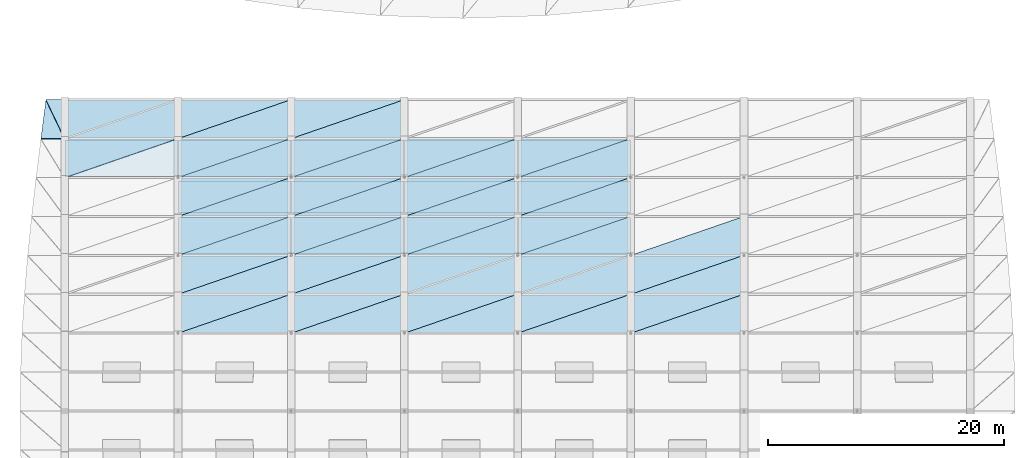
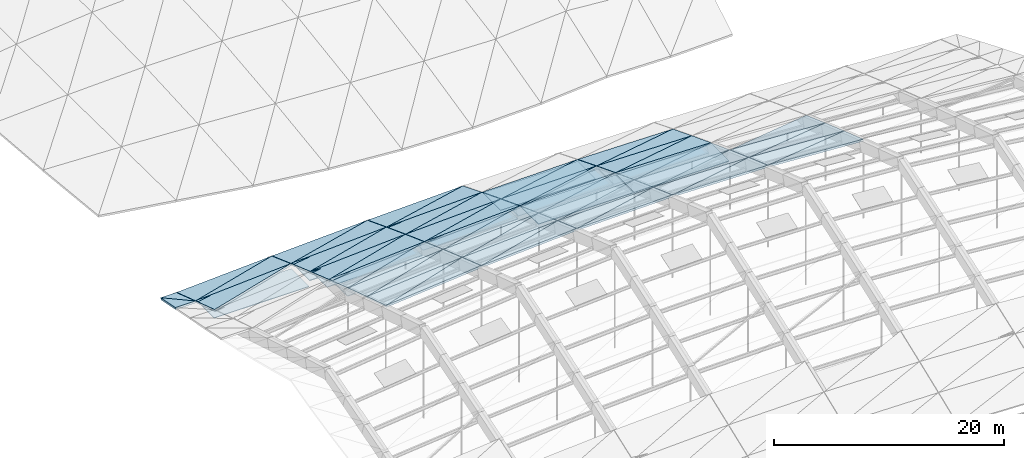
# One storey, part 39 of 43: 54 slabs, 13 plates.
"""IFC4 building model written with IfcOpenShell, lengths in metres."""

from ifc_helpers import new_model, si_unit, direction, frame, origin, origin_2d, place, context, subcontext, project, spatial, polyline, rectangle, outline, extrude, material, layer, layer_set, type_object, element, save


model = new_model("IFC4")

# Units and contexts
model_context = context("Model", 3, precision=1e-05, world=origin(), true_north=direction((0.0, 1.0)))
body_context = subcontext(model_context, "Body", "Model", "MODEL_VIEW")
ifc_project = project(units=[si_unit("LENGTHUNIT", "METRE"), si_unit("AREAUNIT", "SQUARE_METRE"), si_unit("VOLUMEUNIT", "CUBIC_METRE"), si_unit("PLANEANGLEUNIT", "RADIAN"), si_unit("MASSUNIT", "GRAM", prefix="KILO")], contexts=[model_context])

# Site, building, storey
site_placement = place(None, origin())
site = spatial("IfcSite", under=ifc_project, at=site_placement, CompositionType="ELEMENT")
building_placement = place(site_placement, origin())
building = spatial("IfcBuilding", under=site, at=building_placement, Name="Chalmorin Arch Market", CompositionType="ELEMENT")
storey_placement = place(building_placement, frame((0.0, 0.0, 18.60009765625)))
storey = spatial("IfcBuildingStorey", under=building, at=storey_placement, Name="RF", CompositionType="ELEMENT", Elevation=18.60009765625)

# Plates
ifc_material_1 = material(Name="Precast concrete C40/50", Category="concrete")
ifc_layer_1 = layer(ifc_material_1, 0.06005859375)
ifc_layer_set_1 = layer_set([ifc_layer_1], Name="Precast concrete C40/50")
plate_type_1 = type_object("IfcPlateType", Name="VaultRoofCassette-9600x2700x60", PredefinedType="SHEET", material=ifc_layer_set_1)
for number, where, z_axis, x_axis, name in (
    (1, (62.39990234375, 50.550048828125, 0.376220703125), (0.0, 0.0, 1.0), (1.0, 0.0, 0.0), "VRC-02-057"),
    (2, (72.0, 50.550048828125, 0.909912109375), (0.0, 0.0, 1.0), (1.0, 0.0, 0.0), "VRC-02-063"),
    (3, (81.60009765625, 50.550048828125, 1.198486328125), (0.0, 0.0, 1.0), (1.0, 0.0, 0.0), "VRC-02-069"),
    (4, (91.199951171875, 50.550048828125, 1.198486328125), (0.0, 0.0, 1.0), (1.0, 0.0, 0.0), "VRC-02-075"),
):
    element("IfcPlate", number, at=place(storey_placement, frame(where, z_axis=z_axis, x_axis=x_axis)), inside=storey, type_object=plate_type_1, Name=name, PredefinedType="SHEET", context=body_context, shape_type="SweptSolid", body=[
        extrude(rectangle(XDim=9.550048828125, YDim=2.699951171875, at=origin_2d()), origin(), (0.0, 0.0, 1.0), 0.06005859375),
    ])
ifc_layer_2 = layer(ifc_material_1, 0.06005859375)
ifc_layer_set_2 = layer_set([ifc_layer_2], Name="Precast concrete C40/50")
plate_type_2 = type_object("IfcPlateType", Name="VaultRoofCassette-9600x3100x60", PredefinedType="SHEET", material=ifc_layer_set_2)
for number, where, z_axis, x_axis, name in (
    (5, (52.800048828125, 53.85009765625, -1.4287109375), (0.0, 0.0, 1.0), (1.0, 0.0, 0.0), "VRC-01-052"),
    (6, (62.39990234375, 47.25, 1.53857421875), (0.0, 0.0, 1.0), (1.0, 0.0, 0.0), "VRC-01-056"),
    (7, (62.39990234375, 53.85009765625, -0.814453125), (0.0, 0.0, 1.0), (1.0, 0.0, 0.0), "VRC-01-058"),
    (8, (72.0, 47.25, 2.13427734375), (0.0, 0.0, 1.0), (1.0, 0.0, 0.0), "VRC-01-062"),
    (9, (72.0, 53.85009765625, -0.34423828125), (0.0, 0.0, 1.0), (1.0, 0.0, 0.0), "VRC-01-064"),
    (10, (81.60009765625, 47.25, 2.456298828125), (0.0, 0.0, 1.0), (1.0, 0.0, 0.0), "VRC-01-068"),
    (11, (81.60009765625, 53.85009765625, -0.08984375), (0.0, 0.0, 1.0), (1.0, 0.0, 0.0), "VRC-01-070"),
    (12, (91.199951171875, 47.25, 2.456298828125), (0.0, 0.0, 1.0), (1.0, 0.0, 0.0), "VRC-01-074"),
    (13, (91.199951171875, 53.85009765625, -0.08984375), (0.0, 0.0, 1.0), (1.0, 0.0, 0.0), "VRC-01-076"),
):
    element("IfcPlate", number, at=place(storey_placement, frame(where, z_axis=z_axis, x_axis=x_axis)), inside=storey, type_object=plate_type_2, Name=name, PredefinedType="SHEET", context=body_context, shape_type="SweptSolid", body=[
        extrude(rectangle(XDim=9.550048828125, YDim=3.10009765625, at=origin_2d()), origin(), (0.0, 0.0, 1.0), 0.06005859375),
    ])

# Slabs
ifc_material_2 = material(Name="Concrete C40/50", Category="concrete")
ifc_layer_3 = layer(ifc_material_2, 0.18994140625)
ifc_layer_set_3 = layer_set([ifc_layer_3], Name="Concrete C40/50")
slab_type = type_object("IfcSlabType", Name="VaultSlopedRoofSlab-190", PredefinedType="ROOF", material=ifc_layer_set_3)
slab_1_placement = place(storey_placement, frame((48.02001953125, 52.199951171875, -0.423095703125), z_axis=(-0.060322137858, 0.309410513803, 0.949013368521), x_axis=(0.944255422222, 0.325948734414, -0.046250623112)))
element("IfcSlab", 14, at=slab_1_placement, inside=storey, type_object=slab_type, Name="RS-190-381", PredefinedType="ROOF", context=body_context, shape_type="SweptSolid", body=[
    extrude(outline(polyline([(0.0, 0.0), (10.124441299211979, -7.216449660063518e-16), (1.1254090671694907, 3.283503797643487), (0.0, 0.0)])), origin(), (0.0, 0.0, -1.0), 0.18994140625),
])
slab_2_placement = place(storey_placement, frame((48.02001953125, 55.5, -1.4990234375), z_axis=(-0.059675258205, 0.339153515206, 0.938836384404), x_axis=(0.997985973277, 0.0, 0.063434983592)))
element("IfcSlab", 15, at=slab_2_placement, inside=storey, type_object=slab_type, Name="RS-190-382", PredefinedType="ROOF", context=body_context, shape_type="SweptSolid", body=[
    extrude(outline(polyline([(0.0, 0.0), (9.579351663994741, 2.7755575615628914e-17), (9.503728366905273, 3.5079620861586283), (0.0, 0.0)])), origin(), (0.0, 0.0, -1.0), 0.18994140625),
])
slab_3_placement = place(storey_placement, frame((48.02001953125, 55.5, -1.4990234375), z_axis=(-0.051192320591, 0.316086453496, 0.947348246543), x_axis=(0.943692440065, 0.325754397884, -0.057694460941)))
element("IfcSlab", 16, at=slab_3_placement, inside=storey, type_object=slab_type, Name="RS-190-383", PredefinedType="ROOF", context=body_context, shape_type="SweptSolid", body=[
    extrude(outline(polyline([(0.0, 0.0), (10.13048127533171, -1.6653345369377348e-16), (1.138531302501493, 3.2873139759428773), (0.0, 0.0)])), origin(), (0.0, 0.0, -1.0), 0.18994140625),
])
slab_4_placement = place(storey_placement, frame((57.6201171875, 39.0, 4.658203125), z_axis=(-0.086273749207, 0.321091494642, 0.943110328788), x_axis=(0.995841975491, 0.0, 0.091097529336)))
element("IfcSlab", 17, at=slab_4_placement, inside=storey, type_object=slab_type, Name="RS-190-398", PredefinedType="ROOF", context=body_context, shape_type="SweptSolid", body=[
    extrude(outline(polyline([(0.0, 0.0), (9.599730367276402, -5.551115123125783e-17), (9.497379090419967, 3.4845627747918044), (0.0, 0.0)])), origin(), (0.0, 0.0, -1.0), 0.18994140625),
])
slab_5_placement = place(storey_placement, frame((57.6201171875, 39.0, 4.658203125), z_axis=(-0.080063340026, 0.303578139229, 0.949436767229), x_axis=(0.944977985989, 0.326206487642, -0.024615714833)))
element("IfcSlab", 18, at=slab_5_placement, inside=storey, type_object=slab_type, Name="RS-190-399", PredefinedType="ROOF", context=body_context, shape_type="SweptSolid", body=[
    extrude(outline(polyline([(0.0, 0.0), (10.116441435535085, -9.43689570931383e-16), (1.1024712434005106, 3.2845510126683477), (0.0, 0.0)])), origin(), (0.0, 0.0, -1.0), 0.18994140625),
])
slab_6_placement = place(storey_placement, frame((57.6201171875, 42.300048828125, 3.60302734375), z_axis=(-0.079360091137, 0.328691283062, 0.941097240658), x_axis=(0.996463313136, 0.0, 0.084028956763)))
element("IfcSlab", 19, at=slab_6_placement, inside=storey, type_object=slab_type, Name="RS-190-400", PredefinedType="ROOF", context=body_context, shape_type="SweptSolid", body=[
    extrude(outline(polyline([(0.0, 0.0), (9.593744523360588, 0.0), (9.49689376533355, 3.494195335738139), (0.0, 0.0)])), origin(), (0.0, 0.0, -1.0), 0.18994140625),
])
slab_7_placement = place(storey_placement, frame((57.6201171875, 42.300048828125, 3.60302734375), z_axis=(-0.072966970432, 0.310859242536, 0.947650965575), x_axis=(0.944710305701, 0.326114084382, -0.034235102888)))
element("IfcSlab", 20, at=slab_7_placement, inside=storey, type_object=slab_type, Name="RS-190-401", PredefinedType="ROOF", context=body_context, shape_type="SweptSolid", body=[
    extrude(outline(polyline([(0.0, 0.0), (10.119307893049081, -5.828670879282072e-16), (1.1132525695318332, 3.289808432109334), (0.0, 0.0)])), origin(), (0.0, 0.0, -1.0), 0.18994140625),
])
slab_8_placement = place(storey_placement, frame((57.6201171875, 45.60009765625, 2.5205078125), z_axis=(-0.072300405683, 0.336248230313, 0.938994024981), x_axis=(0.99704879106, 0.0, 0.076770490718)))
element("IfcSlab", 21, at=slab_8_placement, inside=storey, type_object=slab_type, Name="RS-190-402", PredefinedType="ROOF", context=body_context, shape_type="SweptSolid", body=[
    extrude(outline(polyline([(0.0, 0.0), (9.588110971939729, 2.7755575615628914e-17), (9.497395841306087, 3.503820244728814), (0.0, 0.0)])), origin(), (0.0, 0.0, -1.0), 0.18994140625),
])
slab_9_placement = place(storey_placement, frame((57.6201171875, 45.60009765625, 2.5205078125), z_axis=(-0.065721430381, 0.318103995891, 0.94577510085), x_axis=(0.944355816679, 0.325967597575, -0.044013825509)))
element("IfcSlab", 22, at=slab_9_placement, inside=storey, type_object=slab_type, Name="RS-190-403", PredefinedType="ROOF", context=body_context, shape_type="SweptSolid", body=[
    extrude(outline(polyline([(0.0, 0.0), (10.123106443865423, 2.7755575615628914e-17), (1.1244787352494912, 3.294852811991105), (0.0, 0.0)])), origin(), (0.0, 0.0, -1.0), 0.18994140625),
])
slab_10_placement = place(storey_placement, frame((57.6201171875, 48.89990234375, 1.41064453125), z_axis=(-0.065097786639, 0.343754549434, 0.936800452561), x_axis=(0.997594314234, 0.0, 0.069322321144)))
element("IfcSlab", 23, at=slab_10_placement, inside=storey, type_object=slab_type, Name="RS-190-404", PredefinedType="ROOF", context=body_context, shape_type="SweptSolid", body=[
    extrude(outline(polyline([(0.0, 0.0), (9.582867821845197, 0.0), (9.498922823585069, 3.5142061883421896), (0.0, 0.0)])), origin(), (0.0, 0.0, -1.0), 0.18994140625),
])
slab_11_placement = place(storey_placement, frame((57.6201171875, 48.89990234375, 1.41064453125), z_axis=(-0.058306931914, 0.325246702933, 0.943829902007), x_axis=(0.943886667557, 0.325829764419, -0.053971505699)))
element("IfcSlab", 24, at=slab_11_placement, inside=storey, type_object=slab_type, Name="RS-190-405", PredefinedType="ROOF", context=body_context, shape_type="SweptSolid", body=[
    extrude(outline(polyline([(0.0, 0.0), (10.12813802940145, -5.551115123125783e-16), (1.1366309080079744, 3.3002473057173445), (0.0, 0.0)])), origin(), (0.0, 0.0, -1.0), 0.18994140625),
])
slab_12_placement = place(storey_placement, frame((57.6201171875, 52.199951171875, 0.2734375), z_axis=(-0.057731449157, 0.35121204381, 0.934514408696), x_axis=(0.998097248777, 0.0, 0.061659403039)))
element("IfcSlab", 25, at=slab_12_placement, inside=storey, type_object=slab_type, Name="RS-190-406", PredefinedType="ROOF", context=body_context, shape_type="SweptSolid", body=[
    extrude(outline(polyline([(0.0, 0.0), (9.578039078692683, 0.0), (9.501566967501917, 3.524578781805119), (0.0, 0.0)])), origin(), (0.0, 0.0, -1.0), 0.18994140625),
])
slab_13_placement = place(storey_placement, frame((57.6201171875, 52.199951171875, 0.2734375), z_axis=(-0.050747817537, 0.332409500897, 0.941768858441), x_axis=(0.943320130757, 0.325634195864, -0.064105392853)))
element("IfcSlab", 26, at=slab_13_placement, inside=storey, type_object=slab_type, Name="RS-190-407", PredefinedType="ROOF", context=body_context, shape_type="SweptSolid", body=[
    extrude(outline(polyline([(0.0, 0.0), (10.134220760723265, 3.0531133177191805e-16), (1.1492783825179262, 3.3054846358003167), (0.0, 0.0)])), origin(), (0.0, 0.0, -1.0), 0.18994140625),
])
slab_14_placement = place(storey_placement, frame((57.6201171875, 55.5, -0.891357421875), z_axis=(-0.050230245838, 0.358535169614, 0.932163856064), x_axis=(0.998551322998, 0.0, 0.053807576973)))
element("IfcSlab", 27, at=slab_14_placement, inside=storey, type_object=slab_type, Name="RS-190-408", PredefinedType="ROOF", context=body_context, shape_type="SweptSolid", body=[
    extrude(outline(polyline([(0.0, 0.0), (9.573683628425485, 0.0), (9.505386364587173, 3.53507390556222), (0.0, 0.0)])), origin(), (0.0, 0.0, -1.0), 0.18994140625),
])
slab_15_placement = place(storey_placement, frame((57.6201171875, 55.5, -0.891357421875), z_axis=(-0.043050162493, 0.339444032363, 0.939640586822), x_axis=(0.942647192545, 0.325401897531, -0.074363132461)))
element("IfcSlab", 28, at=slab_15_placement, inside=storey, type_object=slab_type, Name="RS-190-409", PredefinedType="ROOF", context=body_context, shape_type="SweptSolid", body=[
    extrude(outline(polyline([(0.0, 0.0), (10.141455391504055, 4.440892098500626e-16), (1.1624933165864304, 3.3106081268976792), (0.0, 0.0)])), origin(), (0.0, 0.0, -1.0), 0.18994140625),
])
slab_16_placement = place(storey_placement, frame((67.219970703125, 39.0, 5.53271484375), z_axis=(-0.057508950983, 0.333339728313, 0.941051192064), x_axis=(0.998137912706, 0.0, 0.06099760011)))
element("IfcSlab", 29, at=slab_16_placement, inside=storey, type_object=slab_type, Name="RS-190-424", PredefinedType="ROOF", context=body_context, shape_type="SweptSolid", body=[
    extrude(outline(polyline([(0.0, 0.0), (9.577893467480342, 0.0), (9.506590608758074, 3.5002387509944155), (0.0, 0.0)])), origin(), (0.0, 0.0, -1.0), 0.18994140625),
])
slab_17_placement = place(storey_placement, frame((67.219970703125, 39.0, 5.53271484375), z_axis=(-0.053278179424, 0.321835424659, 0.945295400937), x_axis=(0.943691127671, 0.325753944857, -0.057718480279)))
element("IfcSlab", 30, at=slab_17_placement, inside=storey, type_object=slab_type, Name="RS-190-425", PredefinedType="ROOF", context=body_context, shape_type="SweptSolid", body=[
    extrude(outline(polyline([(0.0, 0.0), (10.13049536382551, 3.0531133177191805e-16), (1.1398526657424597, 3.2944482718262105), (0.0, 0.0)])), origin(), (0.0, 0.0, -1.0), 0.18994140625),
])
slab_18_placement = place(storey_placement, frame((67.219970703125, 42.300048828125, 4.4091796875), z_axis=(-0.052896780018, 0.341125240833, 0.938528369699), x_axis=(0.998415469941, 0.0, 0.056272101286)))
element("IfcSlab", 31, at=slab_18_placement, inside=storey, type_object=slab_type, Name="RS-190-426", PredefinedType="ROOF", context=body_context, shape_type="SweptSolid", body=[
    extrude(outline(polyline([(0.0, 0.0), (9.5752308348328, 0.0), (9.507734537562692, 3.5106235548475566), (0.0, 0.0)])), origin(), (0.0, 0.0, -1.0), 0.18994140625),
])
slab_19_placement = place(storey_placement, frame((67.219970703125, 42.300048828125, 4.4091796875), z_axis=(-0.048523162283, 0.329342846334, 0.942962773544), x_axis=(0.943256683128, 0.325603978391, -0.065183425725)))
element("IfcSlab", 32, at=slab_19_placement, inside=storey, type_object=slab_type, Name="RS-190-427", PredefinedType="ROOF", context=body_context, shape_type="SweptSolid", body=[
    extrude(outline(polyline([(0.0, 0.0), (10.135161260710802, 8.326672684688674e-17), (1.1496386544833725, 3.3010774116555086), (0.0, 0.0)])), origin(), (0.0, 0.0, -1.0), 0.18994140625),
])
slab_20_placement = place(storey_placement, frame((67.219970703125, 45.60009765625, 3.256591796875), z_axis=(-0.048162696985, 0.348802844218, 0.935957761058), x_axis=(0.998678650651, 0.0, 0.051390200752)))
element("IfcSlab", 33, at=slab_20_placement, inside=storey, type_object=slab_type, Name="RS-190-428", PredefinedType="ROOF", context=body_context, shape_type="SweptSolid", body=[
    extrude(outline(polyline([(0.0, 0.0), (9.572707484550355, -5.551115123125783e-17), (9.509511087775499, 3.520932920092629), (0.0, 0.0)])), origin(), (0.0, 0.0, -1.0), 0.18994140625),
])
slab_21_placement = place(storey_placement, frame((67.219970703125, 45.60009765625, 3.256591796875), z_axis=(-0.043667650091, 0.336808949914, 0.940559869223), x_axis=(0.942769113283, 0.325411597506, -0.0727577573)))
element("IfcSlab", 34, at=slab_21_placement, inside=storey, type_object=slab_type, Name="RS-190-429", PredefinedType="ROOF", context=body_context, shape_type="SweptSolid", body=[
    extrude(outline(polyline([(0.0, 0.0), (10.140402839942661, -4.718447854656915e-16), (1.15976823662637, 3.3075554688636633), (0.0, 0.0)])), origin(), (0.0, 0.0, -1.0), 0.18994140625),
])
slab_22_placement = place(storey_placement, frame((67.219970703125, 48.89990234375, 2.074951171875), z_axis=(-0.043331464428, 0.356424604404, 0.933318748106), x_axis=(0.998923992344, 0.0, 0.046377338426)))
element("IfcSlab", 35, at=slab_22_placement, inside=storey, type_object=slab_type, Name="RS-190-430", PredefinedType="ROOF", context=body_context, shape_type="SweptSolid", body=[
    extrude(outline(polyline([(0.0, 0.0), (9.570356370475023, 2.7755575615628914e-17), (9.511909148562303, 3.532017284566748), (0.0, 0.0)])), origin(), (0.0, 0.0, -1.0), 0.18994140625),
])
slab_23_placement = place(storey_placement, frame((67.219970703125, 48.89990234375, 2.074951171875), z_axis=(-0.038713676609, 0.344226995474, 0.938087963269), x_axis=(0.942202136108, 0.325239957959, -0.080461819887)))
element("IfcSlab", 36, at=slab_23_placement, inside=storey, type_object=slab_type, Name="RS-190-431", PredefinedType="ROOF", context=body_context, shape_type="SweptSolid", body=[
    extrude(outline(polyline([(0.0, 0.0), (10.146504903117206, -1.6653345369377348e-16), (1.1707419771431953, 3.314521853883344), (0.0, 0.0)])), origin(), (0.0, 0.0, -1.0), 0.18994140625),
])
slab_24_placement = place(storey_placement, frame((67.219970703125, 52.199951171875, 0.864013671875), z_axis=(-0.038405974149, 0.363935797547, 0.930631890929), x_axis=(0.999149533114, 0.0, 0.041233608599)))
element("IfcSlab", 37, at=slab_24_placement, inside=storey, type_object=slab_type, Name="RS-190-432", PredefinedType="ROOF", context=body_context, shape_type="SweptSolid", body=[
    extrude(outline(polyline([(0.0, 0.0), (9.568196027630275, 0.0), (9.514982928252026, 3.543014459331232), (0.0, 0.0)])), origin(), (0.0, 0.0, -1.0), 0.18994140625),
])
slab_25_placement = place(storey_placement, frame((67.219970703125, 52.199951171875, 0.864013671875), z_axis=(-0.033687050941, 0.351599121409, 0.935544355134), x_axis=(0.941579099337, 0.325024891101, -0.088247492072)))
element("IfcSlab", 38, at=slab_25_placement, inside=storey, type_object=slab_type, Name="RS-190-433", PredefinedType="ROOF", context=body_context, shape_type="SweptSolid", body=[
    extrude(outline(polyline([(0.0, 0.0), (10.153218779478637, -4.996003610813204e-16), (1.1820455841649788, 3.3213358472001744), (0.0, 0.0)])), origin(), (0.0, 0.0, -1.0), 0.18994140625),
])
slab_26_placement = place(storey_placement, frame((67.219970703125, 55.5, -0.376220703125), z_axis=(-0.033411164836, 0.371372685101, 0.927882547969), x_axis=(0.999352342864, 0.0, 0.035984646903)))
element("IfcSlab", 39, at=slab_26_placement, inside=storey, type_object=slab_type, Name="RS-190-434", PredefinedType="ROOF", context=body_context, shape_type="SweptSolid", body=[
    extrude(outline(polyline([(0.0, 0.0), (9.566254246580067, 0.0), (9.518725696837237, 3.554233814582145), (0.0, 0.0)])), origin(), (0.0, 0.0, -1.0), 0.18994140625),
])
slab_27_placement = place(storey_placement, frame((67.219970703125, 55.5, -0.376220703125), z_axis=(-0.028566842063, 0.35884182464, 0.932961135538), x_axis=(0.940890871282, 0.32478732078, -0.096112249991)))
element("IfcSlab", 40, at=slab_27_placement, inside=storey, type_object=slab_type, Name="RS-190-435", PredefinedType="ROOF", context=body_context, shape_type="SweptSolid", body=[
    extrude(outline(polyline([(0.0, 0.0), (10.160645496244255, 8.326672684688674e-16), (1.1938080572973289, 3.328097708356338), (0.0, 0.0)])), origin(), (0.0, 0.0, -1.0), 0.18994140625),
])
slab_28_placement = place(storey_placement, frame((76.820068359375, 39.0, 6.116943359375), z_axis=(-0.020185663097, 0.337903432718, 0.940964297496), x_axis=(0.999769983023, 0.0, 0.021447168724)))
element("IfcSlab", 41, at=slab_28_placement, inside=storey, type_object=slab_type, Name="RS-190-450", PredefinedType="ROOF", context=body_context, shape_type="SweptSolid", body=[
    extrude(outline(polyline([(0.0, 0.0), (9.56201387865188, 1.3877787807814457e-17), (9.536597727043485, 3.506285806643169), (0.0, 0.0)])), origin(), (0.0, 0.0, -1.0), 0.18994140625),
])
slab_29_placement = place(storey_placement, frame((76.820068359375, 39.0, 6.116943359375), z_axis=(-0.018628967459, 0.333834381435, 0.942447647004), x_axis=(0.94085764115, 0.324784144225, -0.096447699558)))
element("IfcSlab", 42, at=slab_29_placement, inside=storey, type_object=slab_type, Name="RS-190-451", PredefinedType="ROOF", context=body_context, shape_type="SweptSolid", body=[
    extrude(outline(polyline([(0.0, 0.0), (10.16074487256315, 3.3306690738754696e-16), (1.1845456208428435, 3.294481307241999), (0.0, 0.0)])), origin(), (0.0, 0.0, -1.0), 0.18994140625),
])
slab_30_placement = place(storey_placement, frame((76.820068359375, 42.300048828125, 4.947998046875), z_axis=(-0.018544621906, 0.345649125601, 0.938180568425), x_axis=(0.999804698373, 0.0, 0.019762720243)))
element("IfcSlab", 43, at=slab_30_placement, inside=storey, type_object=slab_type, Name="RS-190-452", PredefinedType="ROOF", context=body_context, shape_type="SweptSolid", body=[
    extrude(outline(polyline([(0.0, 0.0), (9.561681865150666, 0.0), (9.537653948449421, 3.516811618428798), (0.0, 0.0)])), origin(), (0.0, 0.0, -1.0), 0.18994140625),
])
slab_31_placement = place(storey_placement, frame((76.820068359375, 42.300048828125, 4.947998046875), z_axis=(-0.016966932484, 0.341554317339, 0.939708875934), x_axis=(0.940429290616, 0.324636277581, -0.101015031701)))
element("IfcSlab", 44, at=slab_31_placement, inside=storey, type_object=slab_type, Name="RS-190-453", PredefinedType="ROOF", context=body_context, shape_type="SweptSolid", body=[
    extrude(outline(polyline([(0.0, 0.0), (10.165372929700544, -3.3306690738754696e-16), (1.1924793493205614, 3.3025787644566), (0.0, 0.0)])), origin(), (0.0, 0.0, -1.0), 0.18994140625),
])
slab_32_placement = place(storey_placement, frame((76.820068359375, 45.60009765625, 3.74853515625), z_axis=(-0.016888044737, 0.353347477595, 0.9353396998), x_axis=(0.99983703894, 0.0, 0.018052577739)))
element("IfcSlab", 45, at=slab_32_placement, inside=storey, type_object=slab_type, Name="RS-190-454", PredefinedType="ROOF", context=body_context, shape_type="SweptSolid", body=[
    extrude(outline(polyline([(0.0, 0.0), (9.561372584533247, 0.0), (9.538868565505915, 3.527346212864562), (0.0, 0.0)])), origin(), (0.0, 0.0, -1.0), 0.18994140625),
])
slab_33_placement = place(storey_placement, frame((76.820068359375, 45.60009765625, 3.74853515625), z_axis=(-0.015265857212, 0.349167405627, 0.936936004459), x_axis=(0.939986494679, 0.324459418803, -0.105600546265)))
element("IfcSlab", 46, at=slab_33_placement, inside=storey, type_object=slab_type, Name="RS-190-455", PredefinedType="ROOF", context=body_context, shape_type="SweptSolid", body=[
    extrude(outline(polyline([(0.0, 0.0), (10.170161494067182, -1.1102230246251565e-16), (1.2005135390821176, 3.3105482408262628), (0.0, 0.0)])), origin(), (0.0, 0.0, -1.0), 0.18994140625),
])
slab_34_placement = place(storey_placement, frame((76.820068359375, 48.89990234375, 2.518798828125), z_axis=(-0.01519308192, 0.360929212064, 0.932469449441), x_axis=(0.999867289257, 0.0, 0.016291220741)))
element("IfcSlab", 47, at=slab_34_placement, inside=storey, type_object=slab_type, Name="RS-190-456", PredefinedType="ROOF", context=body_context, shape_type="SweptSolid", body=[
    extrude(outline(polyline([(0.0, 0.0), (9.561083311592133, 1.3877787807814457e-17), (9.540273822599046, 3.5385726343882067), (0.0, 0.0)])), origin(), (0.0, 0.0, -1.0), 0.18994140625),
])
slab_35_placement = place(storey_placement, frame((76.820068359375, 48.89990234375, 2.518798828125), z_axis=(-0.013549932906, 0.356726938421, 0.934110427478), x_axis=(0.939504585832, 0.324317069405, -0.110225095572)))
element("IfcSlab", 48, at=slab_35_placement, inside=storey, type_object=slab_type, Name="RS-190-457", PredefinedType="ROOF", context=body_context, shape_type="SweptSolid", body=[
    extrude(outline(polyline([(0.0, 0.0), (10.175378169827876, 2.7755575615628914e-16), (1.209173772091847, 3.3191054465190986), (0.0, 0.0)])), origin(), (0.0, 0.0, -1.0), 0.18994140625),
])
slab_36_placement = place(storey_placement, frame((76.820068359375, 52.199951171875, 1.258544921875), z_axis=(-0.013483366261, 0.368521517156, 0.929521430752), x_axis=(0.999894808821, 0.0, 0.014504181919)))
element("IfcSlab", 49, at=slab_36_placement, inside=storey, type_object=slab_type, Name="RS-190-458", PredefinedType="ROOF", context=body_context, shape_type="SweptSolid", body=[
    extrude(outline(polyline([(0.0, 0.0), (9.560820167072155, -1.3877787807814457e-17), (9.541843626323862, 3.549893077159104), (0.0, 0.0)])), origin(), (0.0, 0.0, -1.0), 0.18994140625),
])
slab_37_placement = place(storey_placement, frame((76.820068359375, 52.199951171875, 1.258544921875), z_axis=(-0.011772376827, 0.364179262705, 0.931254463484), x_axis=(0.939005009459, 0.324144615595, -0.114890645359)))
element("IfcSlab", 50, at=slab_37_placement, inside=storey, type_object=slab_type, Name="RS-190-459", PredefinedType="ROOF", context=body_context, shape_type="SweptSolid", body=[
    extrude(outline(polyline([(0.0, 0.0), (10.180791749588018, 1.1102230246251565e-16), (1.2179625782147494, 3.327514124845167), (0.0, 0.0)])), origin(), (0.0, 0.0, -1.0), 0.18994140625),
])
slab_38_placement = place(storey_placement, frame((86.419921875, 39.0, 6.322021484375), z_axis=(0.020216344222, 0.333824085231, 0.942418579797), x_axis=(0.999769994767, 0.0, -0.021446621268)))
element("IfcSlab", 51, at=slab_38_placement, inside=storey, type_object=slab_type, Name="RS-190-476", PredefinedType="ROOF", context=body_context, shape_type="SweptSolid", body=[
    extrude(outline(polyline([(0.0, 0.0), (9.562257963121825, 0.0), (9.587327890521772, 3.500875163493418), (0.0, 0.0)])), origin(), (0.0, 0.0, -1.0), 0.18994140625),
])
slab_39_placement = place(storey_placement, frame((86.419921875, 39.0, 6.322021484375), z_axis=(0.018599743968, 0.337913829102, 0.940993248449), x_axis=(0.936662221004, 0.323327627594, -0.134622171199)))
element("IfcSlab", 52, at=slab_39_placement, inside=storey, type_object=slab_type, Name="RS-190-477", PredefinedType="ROOF", context=body_context, shape_type="SweptSolid", body=[
    extrude(outline(polyline([(0.0, 0.0), (10.206516692326609, 2.7755575615628914e-16), (1.2265321194295538, 3.2848599815878847), (0.0, 0.0)])), origin(), (0.0, 0.0, -1.0), 0.18994140625),
])
slab_40_placement = place(storey_placement, frame((86.419921875, 42.300048828125, 5.136962890625), z_axis=(0.01857382641, 0.341544561268, 0.939682034329), x_axis=(0.999804708345, 0.0, -0.019762215748)))
element("IfcSlab", 53, at=slab_40_placement, inside=storey, type_object=slab_type, Name="RS-190-478", PredefinedType="ROOF", context=body_context, shape_type="SweptSolid", body=[
    extrude(outline(polyline([(0.0, 0.0), (9.561925958095822, 0.0), (9.585630002522036, 3.51119233484489), (0.0, 0.0)])), origin(), (0.0, 0.0, -1.0), 0.18994140625),
])
slab_41_placement = place(storey_placement, frame((86.419921875, 42.300048828125, 5.136962890625), z_axis=(0.016939388088, 0.345658972958, 0.938207296681), x_axis=(0.936483382846, 0.323265894222, -0.136007482462)))
element("IfcSlab", 54, at=slab_41_placement, inside=storey, type_object=slab_type, Name="RS-190-479", PredefinedType="ROOF", context=body_context, shape_type="SweptSolid", body=[
    extrude(outline(polyline([(0.0, 0.0), (10.20846580821644, -7.216449660063518e-16), (1.232153895228483, 3.293985136391793), (0.0, 0.0)])), origin(), (0.0, 0.0, -1.0), 0.18994140625),
])
slab_42_placement = place(storey_placement, frame((86.419921875, 45.60009765625, 3.921142578125), z_axis=(0.016915985555, 0.34915813222, 0.936911120724), x_axis=(0.999837047261, 0.0, -0.01805211687)))
element("IfcSlab", 55, at=slab_42_placement, inside=storey, type_object=slab_type, Name="RS-190-480", PredefinedType="ROOF", context=body_context, shape_type="SweptSolid", body=[
    extrude(outline(polyline([(0.0, 0.0), (9.56161668537385, 0.0), (9.583816029289023, 3.521430050631003), (0.0, 0.0)])), origin(), (0.0, 0.0, -1.0), 0.18994140625),
])
slab_43_placement = place(storey_placement, frame((86.419921875, 45.60009765625, 3.921142578125), z_axis=(0.015239862415, 0.353356835483, 0.935364470894), x_axis=(0.936316170252, 0.323184262657, -0.137346138259)))
element("IfcSlab", 56, at=slab_43_placement, inside=storey, type_object=slab_type, Name="RS-190-481", PredefinedType="ROOF", context=body_context, shape_type="SweptSolid", body=[
    extrude(outline(polyline([(0.0, 0.0), (10.210288893304845, -1.1102230246251565e-16), (1.2376581728572862, 3.303162118855494), (0.0, 0.0)])), origin(), (0.0, 0.0, -1.0), 0.18994140625),
])
slab_44_placement = place(storey_placement, frame((86.419921875, 48.89990234375, 2.674560546875), z_axis=(0.015219064842, 0.356718371865, 0.934087995448), x_axis=(0.999867296034, 0.0, -0.016290804813)))
element("IfcSlab", 57, at=slab_44_placement, inside=storey, type_object=slab_type, Name="RS-190-482", PredefinedType="ROOF", context=body_context, shape_type="SweptSolid", body=[
    extrude(outline(polyline([(0.0, 0.0), (9.561327419817879, 0.0), (9.581857970219492, 3.5324411775325824), (0.0, 0.0)])), origin(), (0.0, 0.0, -1.0), 0.18994140625),
])
slab_45_placement = place(storey_placement, frame((86.419921875, 48.89990234375, 2.674560546875), z_axis=(0.013526107772, 0.360937853545, 0.932491774917), x_axis=(0.936135948655, 0.32314596297, -0.138658473421)))
element("IfcSlab", 58, at=slab_45_placement, inside=storey, type_object=slab_type, Name="RS-190-483", PredefinedType="ROOF", context=body_context, shape_type="SweptSolid", body=[
    extrude(outline(polyline([(0.0, 0.0), (10.21225454217562, 7.216449660063518e-16), (1.2435119908203809, 3.312945404373454), (0.0, 0.0)])), origin(), (0.0, 0.0, -1.0), 0.18994140625),
])
slab_46_placement = place(storey_placement, frame((86.419921875, 52.199951171875, 1.397216796875), z_axis=(0.013507863783, 0.364171272595, 0.931234031719), x_axis=(0.999894814193, 0.0, -0.014503811596)))
element("IfcSlab", 59, at=slab_46_placement, inside=storey, type_object=slab_type, Name="RS-190-484", PredefinedType="ROOF", context=body_context, shape_type="SweptSolid", body=[
    extrude(outline(polyline([(0.0, 0.0), (9.561064282016375, 0.0), (9.579781847469123, 3.5433646080694463), (0.0, 0.0)])), origin(), (0.0, 0.0, -1.0), 0.18994140625),
])
slab_47_placement = place(storey_placement, frame((86.419921875, 52.199951171875, 1.397216796875), z_axis=(0.011750425711, 0.368529576009, 0.929541757589), x_axis=(0.935967643504, 0.3230878655, -0.139924270521)))
element("IfcSlab", 60, at=slab_47_placement, inside=storey, type_object=slab_type, Name="RS-190-485", PredefinedType="ROOF", context=body_context, shape_type="SweptSolid", body=[
    extrude(outline(polyline([(0.0, 0.0), (10.214090903786692, -2.220446049250313e-16), (1.2492755966024527, 3.322861936959537), (0.0, 0.0)])), origin(), (0.0, 0.0, -1.0), 0.18994140625),
])
slab_48_placement = place(storey_placement, frame((96.02001953125, 39.0, 6.116943359375), z_axis=(0.057753923832, 0.321755218754, 0.945059820057), x_axis=(0.998137912706, 0.0, -0.06099760011)))
element("IfcSlab", 61, at=slab_48_placement, inside=storey, type_object=slab_type, Name="RS-190-502", PredefinedType="ROOF", context=body_context, shape_type="SweptSolid", body=[
    extrude(outline(polyline([(0.0, 0.0), (9.577893467480342, 0.0), (9.646426415650742, 3.485391907713388), (0.0, 0.0)])), origin(), (0.0, 0.0, -1.0), 0.18994140625),
])
slab_49_placement = place(storey_placement, frame((96.02001953125, 39.0, 6.116943359375), z_axis=(0.053052079223, 0.333422118282, 0.941283787139), x_axis=(0.93207227394, 0.321743217908, -0.166500984632)))
element("IfcSlab", 62, at=slab_49_placement, inside=storey, type_object=slab_type, Name="RS-190-503", PredefinedType="ROOF", context=body_context, shape_type="SweptSolid", body=[
    extrude(outline(polyline([(0.0, 0.0), (10.256778214571982, 1.1102230246251565e-16), (1.2563988747262795, 3.267754164439462), (0.0, 0.0)])), origin(), (0.0, 0.0, -1.0), 0.18994140625),
])
slab_50_placement = place(storey_placement, frame((96.02001953125, 42.300048828125, 4.947998046875), z_axis=(0.053134222181, 0.329265465625, 0.942741219837), x_axis=(0.998415469941, 0.0, -0.056272101286)))
element("IfcSlab", 63, at=slab_50_placement, inside=storey, type_object=slab_type, Name="RS-190-504", PredefinedType="ROOF", context=body_context, shape_type="SweptSolid", body=[
    extrude(outline(polyline([(0.0, 0.0), (9.5752308348328, -2.7755575615628914e-17), (9.640089377355121, 3.494935547772871), (0.0, 0.0)])), origin(), (0.0, 0.0, -1.0), 0.18994140625),
])
slab_51_placement = place(storey_placement, frame((96.02001953125, 42.300048828125, 4.947998046875), z_axis=(0.048306224426, 0.341204693564, 0.938746965786), x_axis=(0.932318683519, 0.321828276345, -0.164949789045)))
element("IfcSlab", 64, at=slab_51_placement, inside=storey, type_object=slab_type, Name="RS-190-505", PredefinedType="ROOF", context=body_context, shape_type="SweptSolid", body=[
    extrude(outline(polyline([(0.0, 0.0), (10.254067372827308, -1.1102230246251565e-16), (1.2599001769863793, 3.277450997044099), (0.0, 0.0)])), origin(), (0.0, 0.0, -1.0), 0.18994140625),
])
slab_52_placement = place(storey_placement, frame((96.02001953125, 45.60009765625, 3.74853515625), z_axis=(0.048388974003, 0.3367356086, 0.940355059058), x_axis=(0.998678650651, 0.0, -0.051390200752)))
element("IfcSlab", 65, at=slab_52_placement, inside=storey, type_object=slab_type, Name="RS-190-506", PredefinedType="ROOF", context=body_context, shape_type="SweptSolid", body=[
    extrude(outline(polyline([(0.0, 0.0), (9.572707484550355, 0.0), (9.63343223348629, 3.504468297354684), (0.0, 0.0)])), origin(), (0.0, 0.0, -1.0), 0.18994140625),
])
slab_53_placement = place(storey_placement, frame((46.39990234375, 58.800048828125, -2.60009765625), z_axis=(0.0, 0.316501445903, 0.948592027555), x_axis=(-0.122375471434, -0.941462292189, 0.314122581769)))
element("IfcSlab", 66, at=slab_53_placement, inside=storey, type_object=slab_type, Name="RS-190-596", PredefinedType="ROOF", context=body_context, shape_type="SweptSolid", body=[
    extrude(outline(polyline([(0.0, 0.0), (3.505237390285333, -1.3877787807814457e-17), (3.259381004925923, 1.9939330603199052), (0.0, 0.0)])), origin(), (0.0, 0.0, -1.0), 0.18994140625),
])
slab_54_placement = place(storey_placement, frame((47.97998046875, 58.800048828125, -2.60009765625), z_axis=(0.0, 0.316501445903, 0.948592027555), x_axis=(-1.0, 0.0, 0.0)))
element("IfcSlab", 67, at=slab_54_placement, inside=storey, type_object=slab_type, Name="RS-190-597", PredefinedType="ROOF", context=body_context, shape_type="SweptSolid", body=[
    extrude(outline(polyline([(0.0, 0.0), (1.580078125, 0.0), (0.0, 3.4788915911831904), (0.0, 0.0)])), origin(), (0.0, 0.0, -1.0), 0.18994140625),
])

save(model, "model.ifc")
